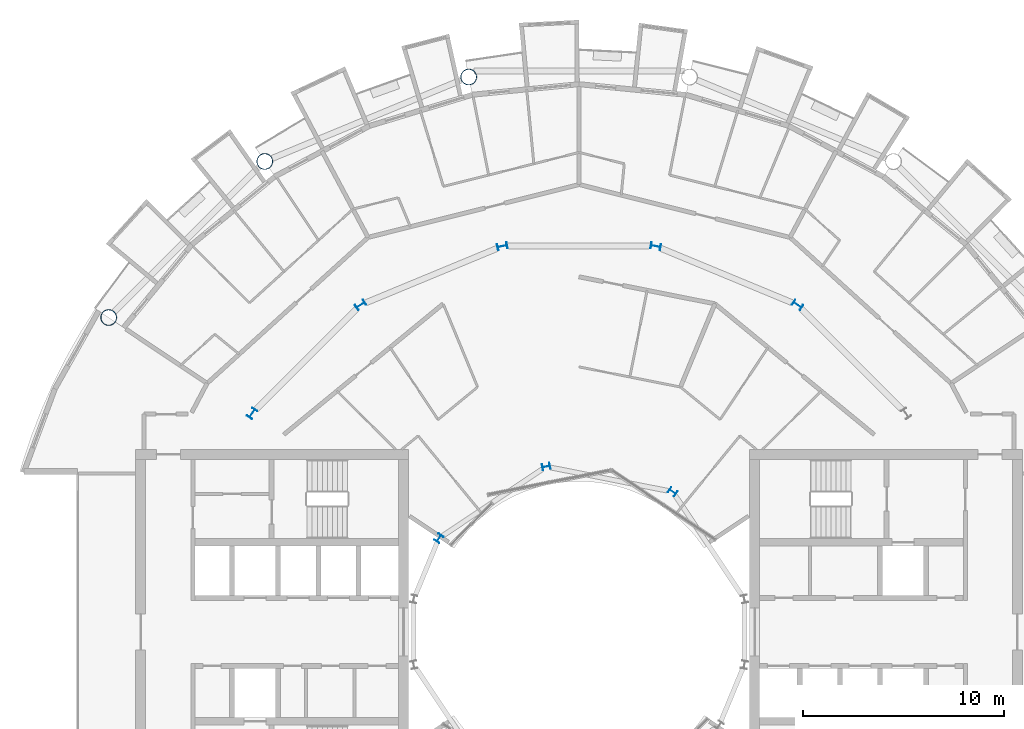
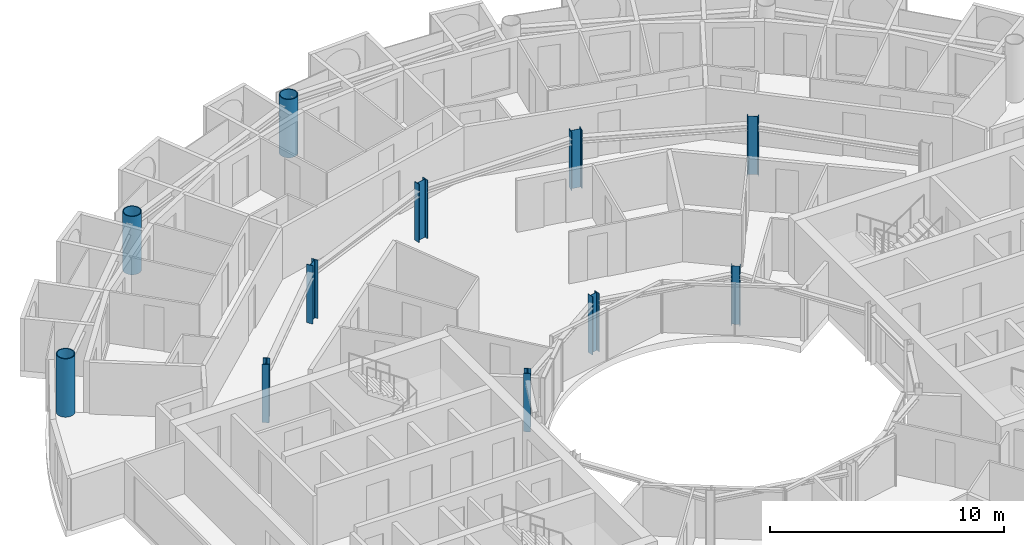
# One storey, part 3 of 26: 11 columns.
"""IFC4 building model written with IfcOpenShell, lengths in metres."""

from ifc_helpers import new_model, si_unit, direction, frame, origin, origin_2d, place, context, subcontext, project, spatial, hollow_circle, i_section, extrude, material, material_profile, profile_set, type_object, element, save


model = new_model("IFC4")

# Units and contexts
model_context = context("Model", 3, precision=1e-05, world=origin(), true_north=direction((0.0, 1.0)))
body_context = subcontext(model_context, "Body", "Model", "MODEL_VIEW")
ifc_project = project(units=[si_unit("LENGTHUNIT", "METRE"), si_unit("AREAUNIT", "SQUARE_METRE"), si_unit("VOLUMEUNIT", "CUBIC_METRE"), si_unit("PLANEANGLEUNIT", "RADIAN"), si_unit("MASSUNIT", "GRAM", prefix="KILO")], contexts=[model_context])

# Site, building, storey
site_placement = place(None, origin())
site = spatial("IfcSite", under=ifc_project, at=site_placement, CompositionType="ELEMENT")
building_placement = place(site_placement, origin())
building = spatial("IfcBuilding", under=site, at=building_placement, Name="Maasbend Ring Residences", CompositionType="ELEMENT")
storey_placement = place(building_placement, frame((0.0, 0.0, 161.60009765625)))
storey = spatial("IfcBuildingStorey", under=building, at=storey_placement, Name="L46", CompositionType="ELEMENT", Elevation=161.60009765625)

# Columns
ifc_material_1 = material(Name="Composite concrete-filled steel tube S460NH / C80/95", Category="concrete")
ifc_material_profile_1 = material_profile(ifc_material_1, hollow_circle(Radius=0.406494140625, WallThickness=0.0400390625, at=origin_2d()), Name="Composite tube column CHS 813x40")
ifc_profile_set_1 = profile_set([ifc_material_profile_1], Name="Composite concrete-filled steel tube S460NH / C80/95")
column_type_1 = type_object("IfcColumnType", Name="Composite tube column CHS 813x40", PredefinedType="COLUMN", material=ifc_profile_set_1)
for number, where, z_axis, x_axis, name in (
    (1, (-5.50146484375, 27.658203125, 0.0), (0.0, 0.0, 1.0), (1.0, 0.0, 0.0), "Outer column R5"),
    (2, (-15.6669921875, 23.447509765625, 0.0), (0.0, 0.0, 1.0), (1.0, 0.0, 0.0), "Outer column R6"),
    (3, (-23.447509765625, 15.6669921875, 0.0), (0.0, 0.0, 1.0), (1.0, 0.0, 0.0), "Outer column R7"),
):
    element("IfcColumn", number, at=place(storey_placement, frame(where, z_axis=z_axis, x_axis=x_axis)), inside=storey, type_object=column_type_1, Name=name, PredefinedType="COLUMN", context=body_context, shape_type="SweptSolid", body=[
        extrude(hollow_circle(Radius=0.406494140625, WallThickness=0.0400390625, at=origin_2d()), origin(), (0.0, 0.0, 1.0), 3.0498046875),
    ])
ifc_material_2 = material(Name="Steel S355J2", Category="steel")
ifc_material_profile_2 = material_profile(ifc_material_2, i_section(OverallWidth=0.300048828125, OverallDepth=0.389892578125, WebThickness=0.010986328125, FlangeThickness=0.01904296875, FilletRadius=0.027099609375, at=origin_2d()), Name="HEA 400")
ifc_profile_set_2 = profile_set([ifc_material_profile_2], Name="Steel S355J2")
column_type_2 = type_object("IfcColumnType", Name="Steel column HEA 400", PredefinedType="COLUMN", material=ifc_profile_set_2)
for number, where, z_axis, x_axis, name in (
    (4, (4.666748046875, 6.984375, 0.0), (0.0, 0.0, 1.0), (0.55557023302, 0.831469612303, 0.0), "Well ring column R3"),
    (5, (-1.638916015625, 8.238525390625, 0.0), (0.0, 0.0, 1.0), (-0.195090322016, 0.980785280403, 0.0), "Well ring column R5"),
    (6, (-6.984375, 4.666748046875, 0.0), (0.0, 0.0, 1.0), (-0.831469612303, 0.55557023302, 0.0), "Well ring column R7"),
):
    element("IfcColumn", number, at=place(storey_placement, frame(where, z_axis=z_axis, x_axis=x_axis)), inside=storey, type_object=column_type_2, Name=name, PredefinedType="COLUMN", context=body_context, shape_type="SweptSolid", body=[
        extrude(i_section(OverallWidth=0.300048828125, OverallDepth=0.389892578125, WebThickness=0.010986328125, FlangeThickness=0.01904296875, FilletRadius=0.027099609375, at=origin_2d()), origin(), (0.0, 0.0, 1.0), 3.0498046875),
    ])
ifc_material_3 = material(Name="Steel S355J2", Category="steel")
ifc_material_profile_3 = material_profile(ifc_material_3, i_section(OverallWidth=0.300048828125, OverallDepth=0.5, WebThickness=0.014404296875, FlangeThickness=0.028076171875, FilletRadius=0.027099609375, at=origin_2d()), Name="HEB 500")
ifc_profile_set_3 = profile_set([ifc_material_profile_3], Name="Steel S355J2")
column_type_3 = type_object("IfcColumnType", Name="Steel column HEB 500", PredefinedType="COLUMN", material=ifc_profile_set_3)
for number, where, z_axis, x_axis, name in (
    (7, (10.88916015625, 16.296875, 0.0), (0.0, 0.0, 1.0), (0.55557023302, 0.831469612303, 0.0), "Corridor ring column R3"),
    (8, (3.82373046875, 19.223388671875, 0.0), (0.0, 0.0, 1.0), (0.195090322016, 0.980785280403, 0.0), "Corridor ring column R4"),
    (9, (-3.82373046875, 19.223388671875, 0.0), (0.0, 0.0, 1.0), (-0.195090322016, 0.980785280403, 0.0), "Corridor ring column R5"),
    (10, (-10.88916015625, 16.296875, 0.0), (0.0, 0.0, 1.0), (-0.55557023302, 0.831469612303, 0.0), "Corridor ring column R6"),
    (11, (-16.296875, 10.88916015625, 0.0), (0.0, 0.0, 1.0), (-0.831469612303, 0.55557023302, 0.0), "Corridor ring column R7"),
):
    element("IfcColumn", number, at=place(storey_placement, frame(where, z_axis=z_axis, x_axis=x_axis)), inside=storey, type_object=column_type_3, Name=name, PredefinedType="COLUMN", context=body_context, shape_type="SweptSolid", body=[
        extrude(i_section(OverallWidth=0.300048828125, OverallDepth=0.5, WebThickness=0.014404296875, FlangeThickness=0.028076171875, FilletRadius=0.027099609375, at=origin_2d()), origin(), (0.0, 0.0, 1.0), 3.0498046875),
    ])

save(model, "model.ifc")
